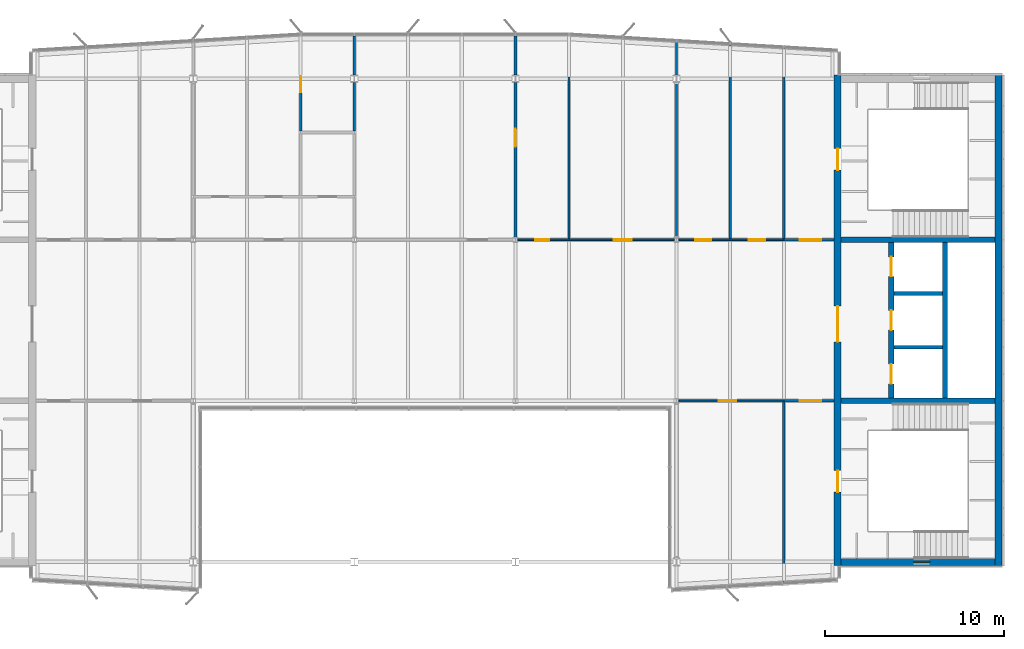
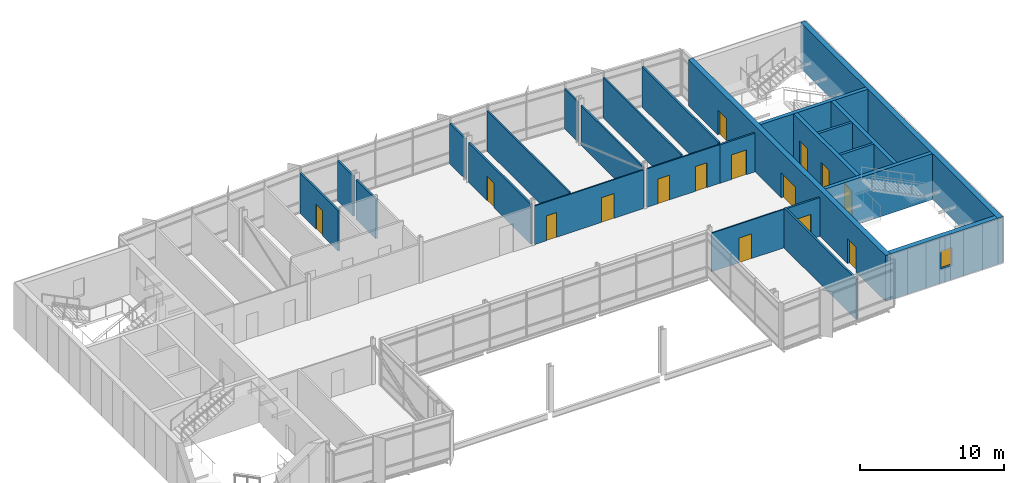
# One storey, part 16 of 20: 25 walls, 15 doors, 1 window, 16 openings.
"""IFC4 building model written with IfcOpenShell, lengths in metres."""

from ifc_helpers import new_model, si_unit, direction, frame, frame_2d, origin, place, context, subcontext, project, spatial, rectangle, extrude, material, layer, layer_set, type_object, element, fill, save


model = new_model("IFC4")

# Units and contexts
model_context = context("Model", 3, precision=1e-05, world=origin(), true_north=direction((0.0, 1.0)))
body_context = subcontext(model_context, "Body", "Model", "MODEL_VIEW")
ifc_project = project(units=[si_unit("LENGTHUNIT", "METRE"), si_unit("AREAUNIT", "SQUARE_METRE"), si_unit("VOLUMEUNIT", "CUBIC_METRE"), si_unit("PLANEANGLEUNIT", "RADIAN"), si_unit("MASSUNIT", "GRAM", prefix="KILO")], contexts=[model_context])

# Site, building, storey
site_placement = place(None, origin())
site = spatial("IfcSite", under=ifc_project, at=site_placement, CompositionType="ELEMENT")
building_placement = place(site_placement, origin())
building = spatial("IfcBuilding", under=site, at=building_placement, Name="Azimuth Sports and Learning Centre", CompositionType="ELEMENT")
storey_placement = place(building_placement, frame((0.0, 0.0, 71.39990234375)))
storey = spatial("IfcBuildingStorey", under=building, at=storey_placement, Name="L16", CompositionType="ELEMENT", Elevation=71.39990234375)

# Walls
ifc_material_1 = material(Name="Dense masonry blockwork", Category="masonry")
ifc_layer_1 = layer(ifc_material_1, 0.199951171875)
ifc_layer_set_1 = layer_set([ifc_layer_1], Name="Dense masonry blockwork")
wall_type_1 = type_object("IfcWallType", Name="Blockwork wall 200 EI 120", PredefinedType="SOLIDWALL", material=ifc_layer_set_1)
for number, where, z_axis, x_axis, name in (
    (1, (111.14990234375, 102.0, 0.0), (0.0, 0.0, 1.0), (1.0, 0.0, 0.0), "SD-E-1-L16"),
    (2, (111.14990234375, 105.0, 0.0), (0.0, 0.0, 1.0), (1.0, 0.0, 0.0), "SD-E-2-L16"),
):
    element("IfcWall", number, at=place(storey_placement, frame(where, z_axis=z_axis, x_axis=x_axis)), inside=storey, type_object=wall_type_1, Name=name, PredefinedType="SOLIDWALL", context=body_context, shape_type="SweptSolid", body=[
        extrude(rectangle(XDim=2.7001953125, YDim=0.199951171875, at=frame_2d((1.35009765625, 0.0))), origin(), (0.0, 0.0, 1.0), 3.900146484375),
    ])

# Wall, opening, door
ifc_material_2 = material(Name="Gypsum board on steel studs", Category="steel")
ifc_layer_2 = layer(ifc_material_2, 0.10009765625)
ifc_layer_set_2 = layer_set([ifc_layer_2], Name="Gypsum board on steel studs")
wall_type_2 = type_object("IfcWallType", Name="Partition 100 EI 30", PredefinedType="PARTITIONING", material=ifc_layer_set_2)
wall_1_placement = place(storey_placement, frame((99.1298828125, 99.0, 0.0), z_axis=(0.0, 0.0, 1.0), x_axis=(1.0, 0.0, 0.0)))
wall_1 = element("IfcWall", 3, at=wall_1_placement, inside=storey, type_object=wall_type_2, Name="Partition Faculty Common Room 16.08 / Learning Street", PredefinedType="PARTITIONING", context=body_context, shape_type="SweptSolid", body=[
    extrude(rectangle(XDim=5.8701171875, YDim=0.10009765625, at=frame_2d((2.93505859375, 0.0))), origin(), (0.0, 0.0, 1.0), 3.27001953125),
])
opening_1_placement = place(wall_1_placement, frame((2.219970703125, 0.0, 0.0)))
opening_1 = element("IfcOpeningElement", 4, at=opening_1_placement, cuts=wall_1, Name="Opening D16-016", PredefinedType="OPENING", context=body_context, shape_type="SweptSolid", body=[
    extrude(rectangle(XDim=1.0, YDim=2.10009765625, at=frame_2d((0.5, 1.050048828125))), frame((0.0, 0.06103515625, 0.0), z_axis=(0.0, -1.0, 0.0), x_axis=(1.0, 0.0, 0.0)), (0.0, 0.0, 1.0), 0.1220703125),
])
ifc_material_3 = material(Name="Painted steel door set", Category="steel")
door_type_1 = type_object("IfcDoorType", Name="Fire door FD30S 1000 x 2100", OperationType="NOTDEFINED", PredefinedType="DOOR", material=ifc_material_3)
door_1_placement = place(opening_1_placement, frame((1.0, 0.0, 0.0), z_axis=(0.0, 0.0, 1.0), x_axis=(-1.0, 0.0, 0.0)))
door_1 = element("IfcDoor", 5, at=door_1_placement, inside=storey, type_object=door_type_1, Name="Door Faculty Common Room 16.08 / Learning Street", OperationType="SINGLE_SWING_RIGHT", OverallHeight=2.10009765625, OverallWidth=1.0, PredefinedType="DOOR", context=body_context, shape_type="SweptSolid", body=[
    extrude(rectangle(XDim=1.0, YDim=2.10009765625, at=frame_2d((0.5, 1.050048828125))), frame((0.0, 0.02490234375, 0.0), z_axis=(0.0, -1.0, 0.0), x_axis=(1.0, 0.0, 0.0)), (0.0, 0.0, 1.0), 0.050048828125),
])
fill(opening_1, door_1)

# Wall, openings, doors
wall_2_placement = place(storey_placement, frame((90.1298828125, 108.0, 0.0), z_axis=(0.0, 0.0, 1.0), x_axis=(1.0, 0.0, 0.0)))
wall_2 = element("IfcWall", 6, at=wall_2_placement, inside=storey, type_object=wall_type_2, Name="Partition Specimen Store 16.17 / Motion Capture Studio 16.18", PredefinedType="PARTITIONING", context=body_context, shape_type="SweptSolid", body=[
    extrude(rectangle(XDim=8.740234375, YDim=0.10009765625, at=frame_2d((4.3701171875, 0.0))), origin(), (0.0, 0.0, 1.0), 3.27001953125),
])
opening_2_placement = place(wall_2_placement, frame((0.969970703125, 0.0, 0.0)))
opening_2 = element("IfcOpeningElement", 7, at=opening_2_placement, cuts=wall_2, Name="Opening D16-021", PredefinedType="OPENING", context=body_context, shape_type="SweptSolid", body=[
    extrude(rectangle(XDim=0.800048828125, YDim=2.10009765625, at=frame_2d((0.39990234375, 1.050048828125))), frame((0.0, 0.06103515625, 0.0), z_axis=(0.0, -1.0, 0.0), x_axis=(1.0, 0.0, 0.0)), (0.0, 0.0, 1.0), 0.1220703125),
])
opening_3_placement = place(wall_2_placement, frame((5.3701171875, 0.0, 0.0)))
opening_3 = element("IfcOpeningElement", 8, at=opening_3_placement, cuts=wall_2, Name="Opening D16-022", PredefinedType="OPENING", context=body_context, shape_type="SweptSolid", body=[
    extrude(rectangle(XDim=1.0, YDim=2.10009765625, at=frame_2d((0.5, 1.050048828125))), frame((0.0, 0.06103515625, 0.0), z_axis=(0.0, -1.0, 0.0), x_axis=(1.0, 0.0, 0.0)), (0.0, 0.0, 1.0), 0.1220703125),
])
door_2_placement = place(opening_3_placement, origin())
door_2 = element("IfcDoor", 9, at=door_2_placement, inside=storey, type_object=door_type_1, Name="Door Motion Capture Studio 16.18 / Learning Street", OperationType="SINGLE_SWING_RIGHT", OverallHeight=2.10009765625, OverallWidth=1.0, PredefinedType="DOOR", context=body_context, shape_type="SweptSolid", body=[
    extrude(rectangle(XDim=1.0, YDim=2.10009765625, at=frame_2d((0.5, 1.050048828125))), frame((0.0, 0.02490234375, 0.0), z_axis=(0.0, -1.0, 0.0), x_axis=(1.0, 0.0, 0.0)), (0.0, 0.0, 1.0), 0.050048828125),
])
fill(opening_3, door_2)
ifc_material_4 = material(Name="Painted steel door set", Category="steel")
door_type_2 = type_object("IfcDoorType", Name="Fire door FD30S 800 x 2100", OperationType="NOTDEFINED", PredefinedType="DOOR", material=ifc_material_4)
door_3_placement = place(opening_2_placement, origin())
door_3 = element("IfcDoor", 10, at=door_3_placement, inside=storey, type_object=door_type_2, Name="Door Specimen Store 16.17 / Learning Street", OperationType="SINGLE_SWING_LEFT", OverallHeight=2.10009765625, OverallWidth=0.800048828125, PredefinedType="DOOR", context=body_context, shape_type="SweptSolid", body=[
    extrude(rectangle(XDim=0.800048828125, YDim=2.10009765625, at=frame_2d((0.39990234375, 1.050048828125))), frame((0.0, 0.02490234375, 0.0), z_axis=(0.0, -1.0, 0.0), x_axis=(1.0, 0.0, 0.0)), (0.0, 0.0, 1.0), 0.050048828125),
])
fill(opening_2, door_3)

wall_3_placement = place(storey_placement, frame((99.1298828125, 108.0, 0.0), z_axis=(0.0, 0.0, 1.0), x_axis=(1.0, 0.0, 0.0)))
wall_3 = element("IfcWall", 11, at=wall_3_placement, inside=storey, type_object=wall_type_2, Name="Partition Specimen Store 16.17 / Motion Capture Studio 16.18", PredefinedType="PARTITIONING", context=body_context, shape_type="SweptSolid", body=[
    extrude(rectangle(XDim=5.8701171875, YDim=0.10009765625, at=frame_2d((2.93505859375, 0.0))), origin(), (0.0, 0.0, 1.0), 3.27001953125),
])
opening_4_placement = place(wall_3_placement, frame((0.919921875, 0.0, 0.0)))
opening_4 = element("IfcOpeningElement", 12, at=opening_4_placement, cuts=wall_3, Name="Opening D16-023", PredefinedType="OPENING", context=body_context, shape_type="SweptSolid", body=[
    extrude(rectangle(XDim=0.89990234375, YDim=2.10009765625, at=frame_2d((0.449951171875, 1.050048828125))), frame((0.0, 0.06103515625, 0.0), z_axis=(0.0, -1.0, 0.0), x_axis=(1.0, 0.0, 0.0)), (0.0, 0.0, 1.0), 0.1220703125),
])
opening_5_placement = place(wall_3_placement, frame((3.919921875, 0.0, 0.0)))
opening_5 = element("IfcOpeningElement", 13, at=opening_5_placement, cuts=wall_3, Name="Opening D16-024", PredefinedType="OPENING", context=body_context, shape_type="SweptSolid", body=[
    extrude(rectangle(XDim=0.89990234375, YDim=2.10009765625, at=frame_2d((0.449951171875, 1.050048828125))), frame((0.0, 0.06103515625, 0.0), z_axis=(0.0, -1.0, 0.0), x_axis=(1.0, 0.0, 0.0)), (0.0, 0.0, 1.0), 0.1220703125),
])
ifc_material_5 = material(Name="Painted steel door set", Category="steel")
door_type_3 = type_object("IfcDoorType", Name="Fire door FD30S 900 x 2100", OperationType="NOTDEFINED", PredefinedType="DOOR", material=ifc_material_5)
door_4_placement = place(opening_4_placement, origin())
door_4 = element("IfcDoor", 14, at=door_4_placement, inside=storey, type_object=door_type_3, Name="Door Faculty Office 16.19 / Learning Street", OperationType="SINGLE_SWING_LEFT", OverallHeight=2.10009765625, OverallWidth=0.89990234375, PredefinedType="DOOR", context=body_context, shape_type="SweptSolid", body=[
    extrude(rectangle(XDim=0.89990234375, YDim=2.10009765625, at=frame_2d((0.449951171875, 1.050048828125))), frame((0.0, 0.02490234375, 0.0), z_axis=(0.0, -1.0, 0.0), x_axis=(1.0, 0.0, 0.0)), (0.0, 0.0, 1.0), 0.050048828125),
])
fill(opening_4, door_4)
door_5_placement = place(opening_5_placement, origin())
door_5 = element("IfcDoor", 15, at=door_5_placement, inside=storey, type_object=door_type_3, Name="Door Faculty Office 16.20 / Learning Street", OperationType="SINGLE_SWING_LEFT", OverallHeight=2.10009765625, OverallWidth=0.89990234375, PredefinedType="DOOR", context=body_context, shape_type="SweptSolid", body=[
    extrude(rectangle(XDim=0.89990234375, YDim=2.10009765625, at=frame_2d((0.449951171875, 1.050048828125))), frame((0.0, 0.02490234375, 0.0), z_axis=(0.0, -1.0, 0.0), x_axis=(1.0, 0.0, 0.0)), (0.0, 0.0, 1.0), 0.050048828125),
])
fill(opening_5, door_5)

# Walls
ifc_material_6 = material(Name="Gypsum board on steel studs, acoustic", Category="steel")
ifc_layer_3 = layer(ifc_material_6, 0.125)
ifc_layer_set_3 = layer_set([ifc_layer_3], Name="Gypsum board on steel studs, acoustic")
wall_type_3 = type_object("IfcWallType", Name="Partition 125 EI 60", PredefinedType="PARTITIONING", material=ifc_layer_set_3)
wall_4_placement = place(storey_placement, frame((93.0, 108.050048828125, 0.0), z_axis=(0.0, 0.0, 1.0), x_axis=(0.0, 1.0, 0.0)))
element("IfcWall", 16, at=wall_4_placement, inside=storey, type_object=wall_type_3, Name="Partition Specimen Store 16.17 / Motion Capture Studio 16.18", PredefinedType="PARTITIONING", context=body_context, shape_type="SweptSolid", body=[
    extrude(rectangle(XDim=11.349853515625, YDim=0.125, at=frame_2d((5.6748046875, 0.0))), origin(), (0.0, 0.0, 1.0), 3.41015625),
])
wall_5_placement = place(storey_placement, frame((99.0, 108.1298828125, 0.0), z_axis=(0.0, 0.0, 1.0), x_axis=(0.0, 1.0, 0.0)))
element("IfcWall", 17, at=wall_5_placement, inside=storey, type_object=wall_type_3, Name="Partition Motion Capture Studio 16.18 / Faculty Office 16.19", PredefinedType="PARTITIONING", context=body_context, shape_type="SweptSolid", body=[
    extrude(rectangle(XDim=8.652587890625, YDim=0.125, at=frame_2d((4.326171875, 0.0))), origin(), (0.0, 0.0, 1.0), 3.3701171875),
])
wall_6_placement = place(storey_placement, frame((99.0, 117.217529296875, 0.0), z_axis=(0.0, 0.0, 1.0), x_axis=(0.0, 1.0, 0.0)))
element("IfcWall", 18, at=wall_6_placement, inside=storey, type_object=wall_type_3, Name="Partition Motion Capture Studio 16.18 / Faculty Office 16.19", PredefinedType="PARTITIONING", context=body_context, shape_type="SweptSolid", body=[
    extrude(rectangle(XDim=1.822509765625, YDim=0.125, at=frame_2d((0.9111328125, 0.0))), origin(), (0.0, 0.0, 1.0), 3.41015625),
])
wall_7_placement = place(storey_placement, frame((102.0, 108.050048828125, 0.0), z_axis=(0.0, 0.0, 1.0), x_axis=(0.0, 1.0, 0.0)))
element("IfcWall", 19, at=wall_7_placement, inside=storey, type_object=wall_type_3, Name="Partition Faculty Office 16.19 / Faculty Office 16.20", PredefinedType="PARTITIONING", context=body_context, shape_type="SweptSolid", body=[
    extrude(rectangle(XDim=10.81005859375, YDim=0.125, at=frame_2d((5.405029296875, 0.0))), origin(), (0.0, 0.0, 1.0), 3.41015625),
])

# Wall, opening, door
ifc_material_7 = material(Name="Lightweight blockwork, rendered", Category="masonry")
ifc_layer_4 = layer(ifc_material_7, 0.14990234375)
ifc_layer_set_4 = layer_set([ifc_layer_4], Name="Lightweight blockwork, rendered")
wall_type_4 = type_object("IfcWallType", Name="Partition 150 EI 60", PredefinedType="PARTITIONING", material=ifc_layer_set_4)
wall_8_placement = place(storey_placement, frame((105.0, 99.0, 0.0), z_axis=(0.0, 0.0, 1.0), x_axis=(1.0, 0.0, 0.0)))
wall_8 = element("IfcWall", 20, at=wall_8_placement, inside=storey, type_object=wall_type_4, Name="Partition Stair Lobby E1 16.03 / Learning Street", PredefinedType="PARTITIONING", context=body_context, shape_type="SweptSolid", body=[
    extrude(rectangle(XDim=2.800048828125, YDim=0.14990234375, at=frame_2d((1.39990234375, 0.0))), origin(), (0.0, 0.0, 1.0), 3.27001953125),
])
opening_6_placement = place(wall_8_placement, frame((0.89990234375, 0.0, 0.0)))
opening_6 = element("IfcOpeningElement", 21, at=opening_6_placement, cuts=wall_8, Name="Opening D16-013", PredefinedType="OPENING", context=body_context, shape_type="SweptSolid", body=[
    extrude(rectangle(XDim=1.199951171875, YDim=2.10009765625, at=frame_2d((0.60009765625, 1.050048828125))), frame((0.0, 0.0859375, 0.0), z_axis=(0.0, -1.0, 0.0), x_axis=(1.0, 0.0, 0.0)), (0.0, 0.0, 1.0), 0.171875),
])
ifc_material_8 = material(Name="Painted steel door set", Category="steel")
door_type_4 = type_object("IfcDoorType", Name="Fire door FD60 1200 x 2100", OperationType="NOTDEFINED", PredefinedType="DOOR", material=ifc_material_8)
door_6_placement = place(opening_6_placement, frame((1.199951171875, 0.0, 0.0), z_axis=(0.0, 0.0, 1.0), x_axis=(-1.0, 0.0, 0.0)))
door_6 = element("IfcDoor", 22, at=door_6_placement, inside=storey, type_object=door_type_4, Name="Door Stair Lobby E1 16.03 / Learning Street", OperationType="SINGLE_SWING_LEFT", OverallHeight=2.10009765625, OverallWidth=1.199951171875, PredefinedType="DOOR", context=body_context, shape_type="SweptSolid", body=[
    extrude(rectangle(XDim=1.199951171875, YDim=2.10009765625, at=frame_2d((0.60009765625, 1.050048828125))), frame((0.0, 0.02490234375, 0.0), z_axis=(0.0, -1.0, 0.0), x_axis=(1.0, 0.0, 0.0)), (0.0, 0.0, 1.0), 0.050048828125),
])
fill(opening_6, door_6)

wall_9_placement = place(storey_placement, frame((105.0, 108.0, 0.0), z_axis=(0.0, 0.0, 1.0), x_axis=(1.0, 0.0, 0.0)))
wall_9 = element("IfcWall", 23, at=wall_9_placement, inside=storey, type_object=wall_type_4, Name="Partition Stair Lobby E2 16.04 / Learning Street", PredefinedType="PARTITIONING", context=body_context, shape_type="SweptSolid", body=[
    extrude(rectangle(XDim=2.800048828125, YDim=0.14990234375, at=frame_2d((1.39990234375, 0.0))), origin(), (0.0, 0.0, 1.0), 3.27001953125),
])
opening_7_placement = place(wall_9_placement, frame((0.89990234375, 0.0, 0.0)))
opening_7 = element("IfcOpeningElement", 24, at=opening_7_placement, cuts=wall_9, Name="Opening D16-014", PredefinedType="OPENING", context=body_context, shape_type="SweptSolid", body=[
    extrude(rectangle(XDim=1.199951171875, YDim=2.10009765625, at=frame_2d((0.60009765625, 1.050048828125))), frame((0.0, 0.0859375, 0.0), z_axis=(0.0, -1.0, 0.0), x_axis=(1.0, 0.0, 0.0)), (0.0, 0.0, 1.0), 0.171875),
])
door_7_placement = place(opening_7_placement, origin())
door_7 = element("IfcDoor", 25, at=door_7_placement, inside=storey, type_object=door_type_4, Name="Door Stair Lobby E2 16.04 / Learning Street", OperationType="SINGLE_SWING_RIGHT", OverallHeight=2.10009765625, OverallWidth=1.199951171875, PredefinedType="DOOR", context=body_context, shape_type="SweptSolid", body=[
    extrude(rectangle(XDim=1.199951171875, YDim=2.10009765625, at=frame_2d((0.60009765625, 1.050048828125))), frame((0.0, 0.02490234375, 0.0), z_axis=(0.0, -1.0, 0.0), x_axis=(1.0, 0.0, 0.0)), (0.0, 0.0, 1.0), 0.050048828125),
])
fill(opening_7, door_7)

wall_10_placement = place(storey_placement, frame((78.0, 114.074951171875, 0.0), z_axis=(0.0, 0.0, 1.0), x_axis=(0.0, 1.0, 0.0)))
wall_10 = element("IfcWall", 26, at=wall_10_placement, inside=storey, type_object=wall_type_4, Name="Partition Women WC 16.13 / Accessible WC 16.14", PredefinedType="PARTITIONING", context=body_context, shape_type="SweptSolid", body=[
    extrude(rectangle(XDim=5.324951171875, YDim=0.14990234375, at=frame_2d((2.66259765625, 0.0))), origin(), (0.0, 0.0, 1.0), 3.41015625),
])
opening_8_placement = place(wall_10_placement, frame((2.175048828125, 0.0, 0.0)))
opening_8 = element("IfcOpeningElement", 27, at=opening_8_placement, cuts=wall_10, Name="Opening D16-028", PredefinedType="OPENING", context=body_context, shape_type="SweptSolid", body=[
    extrude(rectangle(XDim=0.89990234375, YDim=2.10009765625, at=frame_2d((0.449951171875, 1.050048828125))), frame((0.0, 0.0859375, 0.0), z_axis=(0.0, -1.0, 0.0), x_axis=(1.0, 0.0, 0.0)), (0.0, 0.0, 1.0), 0.171875),
])
ifc_material_9 = material(Name="Painted steel door set", Category="steel")
door_type_5 = type_object("IfcDoorType", Name="Fire door FD60 900 x 2100", OperationType="NOTDEFINED", PredefinedType="DOOR", material=ifc_material_9)
door_8_placement = place(opening_8_placement, frame((0.89990234375, 0.0, 0.0), z_axis=(0.0, 0.0, 1.0), x_axis=(-1.0, 0.0, 0.0)))
door_8 = element("IfcDoor", 28, at=door_8_placement, inside=storey, type_object=door_type_5, Name="Door Women WC 16.13 / Cleaner Store 16.15", OperationType="SINGLE_SWING_RIGHT", OverallHeight=2.10009765625, OverallWidth=0.89990234375, PredefinedType="DOOR", context=body_context, shape_type="SweptSolid", body=[
    extrude(rectangle(XDim=0.89990234375, YDim=2.10009765625, at=frame_2d((0.449951171875, 1.050048828125))), frame((0.0, 0.02490234375, 0.0), z_axis=(0.0, -1.0, 0.0), x_axis=(1.0, 0.0, 0.0)), (0.0, 0.0, 1.0), 0.050048828125),
])
fill(opening_8, door_8)

# Walls
wall_11_placement = place(storey_placement, frame((81.0, 114.074951171875, 0.0), z_axis=(0.0, 0.0, 1.0), x_axis=(0.0, 1.0, 0.0)))
element("IfcWall", 29, at=wall_11_placement, inside=storey, type_object=wall_type_4, Name="Partition WC Lobby 16.11 / Accessible WC 16.14", PredefinedType="PARTITIONING", context=body_context, shape_type="SweptSolid", body=[
    extrude(rectangle(XDim=2.70751953125, YDim=0.14990234375, at=frame_2d((1.353759765625, 0.0))), origin(), (0.0, 0.0, 1.0), 3.3701171875),
])
wall_12_placement = place(storey_placement, frame((81.0, 117.217529296875, 0.0), z_axis=(0.0, 0.0, 1.0), x_axis=(0.0, 1.0, 0.0)))
element("IfcWall", 30, at=wall_12_placement, inside=storey, type_object=wall_type_4, Name="Partition WC Lobby 16.11 / Accessible WC 16.14", PredefinedType="PARTITIONING", context=body_context, shape_type="SweptSolid", body=[
    extrude(rectangle(XDim=2.182373046875, YDim=0.14990234375, at=frame_2d((1.09130859375, 0.0))), origin(), (0.0, 0.0, 1.0), 3.41015625),
])

# Wall, opening, door
wall_13_placement = place(storey_placement, frame((90.0, 108.1298828125, 0.0), z_axis=(0.0, 0.0, 1.0), x_axis=(0.0, 1.0, 0.0)))
wall_13 = element("IfcWall", 31, at=wall_13_placement, inside=storey, type_object=wall_type_4, Name="Partition Research Laboratory 16.16 / Specimen Store 16.17", PredefinedType="PARTITIONING", context=body_context, shape_type="SweptSolid", body=[
    extrude(rectangle(XDim=8.652587890625, YDim=0.14990234375, at=frame_2d((4.326171875, 0.0))), origin(), (0.0, 0.0, 1.0), 3.3701171875),
])
opening_9_placement = place(wall_13_placement, frame((5.070068359375, 0.0, 0.0)))
opening_9 = element("IfcOpeningElement", 32, at=opening_9_placement, cuts=wall_13, Name="Opening D16-029", PredefinedType="OPENING", context=body_context, shape_type="SweptSolid", body=[
    extrude(rectangle(XDim=1.0, YDim=2.10009765625, at=frame_2d((0.5, 1.050048828125))), frame((0.0, 0.0859375, 0.0), z_axis=(0.0, -1.0, 0.0), x_axis=(1.0, 0.0, 0.0)), (0.0, 0.0, 1.0), 0.171875),
])
ifc_material_10 = material(Name="Painted steel door set", Category="steel")
door_type_6 = type_object("IfcDoorType", Name="Fire door FD60 1000 x 2100", OperationType="NOTDEFINED", PredefinedType="DOOR", material=ifc_material_10)
door_9_placement = place(opening_9_placement, frame((1.0, 0.0, 0.0), z_axis=(0.0, 0.0, 1.0), x_axis=(-1.0, 0.0, 0.0)))
door_9 = element("IfcDoor", 33, at=door_9_placement, inside=storey, type_object=door_type_6, Name="Door Research Laboratory 16.16 / Specimen Store 16.17", OperationType="SINGLE_SWING_LEFT", OverallHeight=2.10009765625, OverallWidth=1.0, PredefinedType="DOOR", context=body_context, shape_type="SweptSolid", body=[
    extrude(rectangle(XDim=1.0, YDim=2.10009765625, at=frame_2d((0.5, 1.050048828125))), frame((0.0, 0.02490234375, 0.0), z_axis=(0.0, -1.0, 0.0), x_axis=(1.0, 0.0, 0.0)), (0.0, 0.0, 1.0), 0.050048828125),
])
fill(opening_9, door_9)

# Walls
wall_14_placement = place(storey_placement, frame((90.0, 117.217529296875, 0.0), z_axis=(0.0, 0.0, 1.0), x_axis=(0.0, 1.0, 0.0)))
element("IfcWall", 34, at=wall_14_placement, inside=storey, type_object=wall_type_4, Name="Partition Research Laboratory 16.16 / Specimen Store 16.17", PredefinedType="PARTITIONING", context=body_context, shape_type="SweptSolid", body=[
    extrude(rectangle(XDim=2.182373046875, YDim=0.14990234375, at=frame_2d((1.09130859375, 0.0))), origin(), (0.0, 0.0, 1.0), 3.41015625),
])
wall_15_placement = place(storey_placement, frame((105.0, 88.919921875, 0.0), z_axis=(0.0, 0.0, 1.0), x_axis=(0.0, 1.0, 0.0)))
element("IfcWall", 35, at=wall_15_placement, inside=storey, type_object=wall_type_4, Name="Partition Stair Lobby E1 16.03 / Faculty Common Room 16.08", PredefinedType="PARTITIONING", context=body_context, shape_type="SweptSolid", body=[
    extrude(rectangle(XDim=10.005126953125, YDim=0.14990234375, at=frame_2d((5.00244140625, 0.0))), origin(), (0.0, 0.0, 1.0), 3.41015625),
])
wall_16_placement = place(storey_placement, frame((105.0, 108.074951171875, 0.0), z_axis=(0.0, 0.0, 1.0), x_axis=(0.0, 1.0, 0.0)))
element("IfcWall", 36, at=wall_16_placement, inside=storey, type_object=wall_type_4, Name="Partition Stair Lobby E2 16.04 / Faculty Office 16.20", PredefinedType="PARTITIONING", context=body_context, shape_type="SweptSolid", body=[
    extrude(rectangle(XDim=10.60498046875, YDim=0.14990234375, at=frame_2d((5.302490234375, 0.0))), origin(), (0.0, 0.0, 1.0), 3.41015625),
])
ifc_material_11 = material(Name="Concrete C40/50", Category="concrete")
ifc_layer_5 = layer(ifc_material_11, 0.300048828125)
ifc_layer_set_5 = layer_set([ifc_layer_5], Name="Concrete C40/50")
wall_type_5 = type_object("IfcWallType", Name="RC core wall 300", PredefinedType="SHEAR", material=ifc_layer_set_5)
for number, where, z_axis, x_axis, name in (
    (37, (108.199951171875, 99.0, 0.0), (0.0, 0.0, 1.0), (1.0, 0.0, 0.0), "Core wall E D1 L16"),
    (38, (108.199951171875, 108.0, 0.0), (0.0, 0.0, 1.0), (1.0, 0.0, 0.0), "Core wall E D2 L16"),
):
    element("IfcWall", number, at=place(storey_placement, frame(where, z_axis=z_axis, x_axis=x_axis)), inside=storey, type_object=wall_type_5, Name=name, PredefinedType="SHEAR", context=body_context, shape_type="SweptSolid", body=[
        extrude(rectangle(XDim=8.60009765625, YDim=0.300048828125, at=frame_2d((4.300048828125, 0.0))), origin(), (0.0, 0.0, 1.0), 3.900146484375),
    ])

# Wall, openings, doors
wall_17_placement = place(storey_placement, frame((111.0, 99.14990234375, 0.0), z_axis=(0.0, 0.0, 1.0), x_axis=(0.0, 1.0, 0.0)))
wall_17 = element("IfcWall", 39, at=wall_17_placement, inside=storey, type_object=wall_type_5, Name="Core wall E LB1 L16", PredefinedType="SHEAR", context=body_context, shape_type="SweptSolid", body=[
    extrude(rectangle(XDim=8.7001953125, YDim=0.300048828125, at=frame_2d((4.35009765625, 0.0))), origin(), (0.0, 0.0, 1.0), 3.900146484375),
])
opening_10_placement = place(wall_17_placement, frame((0.800048828125, 0.0, 0.0)))
opening_10 = element("IfcOpeningElement", 40, at=opening_10_placement, cuts=wall_17, Name="Opening D16-008", PredefinedType="OPENING", context=body_context, shape_type="SweptSolid", body=[
    extrude(rectangle(XDim=1.10009765625, YDim=2.10009765625, at=frame_2d((0.550048828125, 1.050048828125))), frame((0.0, 0.1611328125, 0.0), z_axis=(0.0, -1.0, 0.0), x_axis=(1.0, 0.0, 0.0)), (0.0, 0.0, 1.0), 0.322021484375),
])
opening_11_placement = place(wall_17_placement, frame((3.800048828125, 0.0, 0.0)))
opening_11 = element("IfcOpeningElement", 41, at=opening_11_placement, cuts=wall_17, Name="Opening D16-009", PredefinedType="OPENING", context=body_context, shape_type="SweptSolid", body=[
    extrude(rectangle(XDim=1.10009765625, YDim=2.10009765625, at=frame_2d((0.550048828125, 1.050048828125))), frame((0.0, 0.1611328125, 0.0), z_axis=(0.0, -1.0, 0.0), x_axis=(1.0, 0.0, 0.0)), (0.0, 0.0, 1.0), 0.322021484375),
])
opening_12_placement = place(wall_17_placement, frame((6.800048828125, 0.0, 0.0)))
opening_12 = element("IfcOpeningElement", 42, at=opening_12_placement, cuts=wall_17, Name="Opening D16-010", PredefinedType="OPENING", context=body_context, shape_type="SweptSolid", body=[
    extrude(rectangle(XDim=1.10009765625, YDim=2.10009765625, at=frame_2d((0.550048828125, 1.050048828125))), frame((0.0, 0.1611328125, 0.0), z_axis=(0.0, -1.0, 0.0), x_axis=(1.0, 0.0, 0.0)), (0.0, 0.0, 1.0), 0.322021484375),
])
ifc_material_12 = material(Name="Stainless steel", Category="steel")
door_type_7 = type_object("IfcDoorType", Name="Lift landing door 1100 x 2100", OperationType="DOUBLE_DOOR_SLIDING", PredefinedType="DOOR", material=ifc_material_12)
door_10_placement = place(opening_10_placement, origin())
door_10 = element("IfcDoor", 43, at=door_10_placement, inside=storey, type_object=door_type_7, Name="Landing door LE1 L16", OperationType="DOUBLE_DOOR_SLIDING", OverallHeight=2.10009765625, OverallWidth=1.10009765625, PredefinedType="DOOR", context=body_context, shape_type="SweptSolid", body=[
    extrude(rectangle(XDim=1.10009765625, YDim=2.10009765625, at=frame_2d((0.550048828125, 1.050048828125))), frame((0.0, 0.02490234375, 0.0), z_axis=(0.0, -1.0, 0.0), x_axis=(1.0, 0.0, 0.0)), (0.0, 0.0, 1.0), 0.050048828125),
])
fill(opening_10, door_10)
door_11_placement = place(opening_11_placement, origin())
door_11 = element("IfcDoor", 44, at=door_11_placement, inside=storey, type_object=door_type_7, Name="Landing door LE2 L16", OperationType="DOUBLE_DOOR_SLIDING", OverallHeight=2.10009765625, OverallWidth=1.10009765625, PredefinedType="DOOR", context=body_context, shape_type="SweptSolid", body=[
    extrude(rectangle(XDim=1.10009765625, YDim=2.10009765625, at=frame_2d((0.550048828125, 1.050048828125))), frame((0.0, 0.02490234375, 0.0), z_axis=(0.0, -1.0, 0.0), x_axis=(1.0, 0.0, 0.0)), (0.0, 0.0, 1.0), 0.050048828125),
])
fill(opening_11, door_11)
door_12_placement = place(opening_12_placement, origin())
door_12 = element("IfcDoor", 45, at=door_12_placement, inside=storey, type_object=door_type_7, Name="Landing door LE3 L16", OperationType="DOUBLE_DOOR_SLIDING", OverallHeight=2.10009765625, OverallWidth=1.10009765625, PredefinedType="DOOR", context=body_context, shape_type="SweptSolid", body=[
    extrude(rectangle(XDim=1.10009765625, YDim=2.10009765625, at=frame_2d((0.550048828125, 1.050048828125))), frame((0.0, 0.02490234375, 0.0), z_axis=(0.0, -1.0, 0.0), x_axis=(1.0, 0.0, 0.0)), (0.0, 0.0, 1.0), 0.050048828125),
])
fill(opening_12, door_12)

# Wall
wall_18_placement = place(storey_placement, frame((114.0, 99.14990234375, 0.0), z_axis=(0.0, 0.0, 1.0), x_axis=(0.0, 1.0, 0.0)))
element("IfcWall", 46, at=wall_18_placement, inside=storey, type_object=wall_type_5, Name="Core wall E LB2 L16", PredefinedType="SHEAR", context=body_context, shape_type="SweptSolid", body=[
    extrude(rectangle(XDim=8.7001953125, YDim=0.300048828125, at=frame_2d((4.35009765625, 0.0))), origin(), (0.0, 0.0, 1.0), 3.900146484375),
])

# Wall, openings, doors
ifc_material_13 = material(Name="Concrete C40/50", Category="concrete")
ifc_layer_6 = layer(ifc_material_13, 0.39990234375)
ifc_layer_set_6 = layer_set([ifc_layer_6], Name="Concrete C40/50")
wall_type_6 = type_object("IfcWallType", Name="RC core wall 400", PredefinedType="SHEAR", material=ifc_layer_set_6)
wall_19_placement = place(storey_placement, frame((108.0, 89.800048828125, 0.0), z_axis=(0.0, 0.0, 1.0), x_axis=(0.0, 1.0, 0.0)))
wall_19 = element("IfcWall", 47, at=wall_19_placement, inside=storey, type_object=wall_type_6, Name="Core wall E W L16", PredefinedType="SHEAR", context=body_context, shape_type="SweptSolid", body=[
    extrude(rectangle(XDim=27.39990234375, YDim=0.39990234375, at=frame_2d((13.699951171875, 0.0))), origin(), (0.0, 0.0, 1.0), 3.900146484375),
])
opening_13_placement = place(wall_19_placement, frame((4.10009765625, 0.0, 0.0)))
opening_13 = element("IfcOpeningElement", 48, at=opening_13_placement, cuts=wall_19, Name="Opening D16-003", PredefinedType="OPENING", context=body_context, shape_type="SweptSolid", body=[
    extrude(rectangle(XDim=1.199951171875, YDim=2.10009765625, at=frame_2d((0.60009765625, 1.050048828125))), frame((0.0, 0.2109375, 0.0), z_axis=(0.0, -1.0, 0.0), x_axis=(1.0, 0.0, 0.0)), (0.0, 0.0, 1.0), 0.421875),
])
opening_14_placement = place(wall_19_placement, frame((22.10009765625, 0.0, 0.0)))
opening_14 = element("IfcOpeningElement", 49, at=opening_14_placement, cuts=wall_19, Name="Opening D16-004", PredefinedType="OPENING", context=body_context, shape_type="SweptSolid", body=[
    extrude(rectangle(XDim=1.199951171875, YDim=2.10009765625, at=frame_2d((0.60009765625, 1.050048828125))), frame((0.0, 0.2109375, 0.0), z_axis=(0.0, -1.0, 0.0), x_axis=(1.0, 0.0, 0.0)), (0.0, 0.0, 1.0), 0.421875),
])
opening_15_placement = place(wall_19_placement, frame((12.5, 0.0, 0.0)))
opening_15 = element("IfcOpeningElement", 50, at=opening_15_placement, cuts=wall_19, Name="Opening D16-031", PredefinedType="OPENING", context=body_context, shape_type="SweptSolid", body=[
    extrude(rectangle(XDim=2.0, YDim=2.10009765625, at=frame_2d((1.0, 1.050048828125))), frame((0.0, 0.2109375, 0.0), z_axis=(0.0, -1.0, 0.0), x_axis=(1.0, 0.0, 0.0)), (0.0, 0.0, 1.0), 0.421875),
])
ifc_material_14 = material(Name="Painted steel door set", Category="steel")
door_type_8 = type_object("IfcDoorType", Name="Fire door FD120 2000 x 2100 double leaf", OperationType="DOUBLE_DOOR_SINGLE_SWING", PredefinedType="DOOR", material=ifc_material_14)
door_13_placement = place(opening_15_placement, frame((2.0, 0.0, 0.0), z_axis=(0.0, 0.0, 1.0), x_axis=(-1.0, 0.0, 0.0)))
door_13 = element("IfcDoor", 51, at=door_13_placement, inside=storey, type_object=door_type_8, Name="Door Lift Lobby E 16.06 / Learning Street", OperationType="DOUBLE_DOOR_SINGLE_SWING", OverallHeight=2.10009765625, OverallWidth=2.0, PredefinedType="DOOR", context=body_context, shape_type="SweptSolid", body=[
    extrude(rectangle(XDim=2.0, YDim=2.10009765625, at=frame_2d((1.0, 1.050048828125))), frame((0.0, 0.02490234375, 0.0), z_axis=(0.0, -1.0, 0.0), x_axis=(1.0, 0.0, 0.0)), (0.0, 0.0, 1.0), 0.050048828125),
])
fill(opening_15, door_13)
ifc_material_15 = material(Name="Steel", Category="steel")
door_type_9 = type_object("IfcDoorType", Name="Stair fire door 1200 x 2100", OperationType="NOTDEFINED", PredefinedType="DOOR", material=ifc_material_15)
door_14_placement = place(opening_13_placement, frame((1.199951171875, 0.0, 0.0), z_axis=(0.0, 0.0, 1.0), x_axis=(-1.0, 0.0, 0.0)))
door_14 = element("IfcDoor", 52, at=door_14_placement, inside=storey, type_object=door_type_9, Name="Stair door E1 L16", OperationType="SINGLE_SWING_RIGHT", OverallHeight=2.10009765625, OverallWidth=1.199951171875, PredefinedType="DOOR", context=body_context, shape_type="SweptSolid", body=[
    extrude(rectangle(XDim=1.199951171875, YDim=2.10009765625, at=frame_2d((0.60009765625, 1.050048828125))), frame((0.0, 0.02490234375, 0.0), z_axis=(0.0, -1.0, 0.0), x_axis=(1.0, 0.0, 0.0)), (0.0, 0.0, 1.0), 0.050048828125),
])
fill(opening_13, door_14)
door_15_placement = place(opening_14_placement, frame((1.199951171875, 0.0, 0.0), z_axis=(0.0, 0.0, 1.0), x_axis=(-1.0, 0.0, 0.0)))
door_15 = element("IfcDoor", 53, at=door_15_placement, inside=storey, type_object=door_type_9, Name="Stair door E2 L16", OperationType="SINGLE_SWING_RIGHT", OverallHeight=2.10009765625, OverallWidth=1.199951171875, PredefinedType="DOOR", context=body_context, shape_type="SweptSolid", body=[
    extrude(rectangle(XDim=1.199951171875, YDim=2.10009765625, at=frame_2d((0.60009765625, 1.050048828125))), frame((0.0, 0.02490234375, 0.0), z_axis=(0.0, -1.0, 0.0), x_axis=(1.0, 0.0, 0.0)), (0.0, 0.0, 1.0), 0.050048828125),
])
fill(opening_14, door_15)

# Wall, opening, window
ifc_material_16 = material(Name="Concrete C40/50", Category="concrete")
ifc_layer_7 = layer(ifc_material_16, 0.39990234375)
ifc_layer_set_7 = layer_set([ifc_layer_7], Name="Concrete C40/50")
wall_type_7 = type_object("IfcWallType", Name="RC external core wall 400", PredefinedType="SHEAR", material=ifc_layer_set_7)
wall_20_placement = place(storey_placement, frame((108.199951171875, 90.0, 0.0), z_axis=(0.0, 0.0, 1.0), x_axis=(1.0, 0.0, 0.0)))
wall_20 = element("IfcWall", 54, at=wall_20_placement, inside=storey, type_object=wall_type_7, Name="Core wall E S L16", PredefinedType="SHEAR", context=body_context, shape_type="SweptSolid", body=[
    extrude(rectangle(XDim=8.60009765625, YDim=0.39990234375, at=frame_2d((4.300048828125, 0.0))), origin(), (0.0, 0.0, 1.0), 3.900146484375),
])
opening_16_placement = place(wall_20_placement, frame((4.050048828125, 0.0, 1.199951171875)))
opening_16 = element("IfcOpeningElement", 55, at=opening_16_placement, cuts=wall_20, Name="Opening W16-002", PredefinedType="OPENING", context=body_context, shape_type="SweptSolid", body=[
    extrude(rectangle(XDim=0.89990234375, YDim=1.5, at=frame_2d((0.449951171875, 0.75))), frame((0.0, 0.2109375, 0.0), z_axis=(0.0, -1.0, 0.0), x_axis=(1.0, 0.0, 0.0)), (0.0, 0.0, 1.0), 0.421875),
])
ifc_material_17 = material(Name="Aluminium and glass", Category="aluminium")
window_type = type_object("IfcWindowType", Name="Stair window tower core 900x1500", PartitioningType="SINGLE_PANEL", PredefinedType="WINDOW", material=ifc_material_17)
window_placement = place(opening_16_placement, origin())
window = element("IfcWindow", 56, at=window_placement, inside=storey, type_object=window_type, Name="Window W16-002", OverallHeight=1.5, OverallWidth=0.89990234375, PartitioningType="SINGLE_PANEL", PredefinedType="WINDOW", context=body_context, shape_type="SweptSolid", body=[
    extrude(rectangle(XDim=0.89990234375, YDim=1.5, at=frame_2d((0.449951171875, 0.75))), frame((0.0, 0.030029296875, 0.0), z_axis=(0.0, -1.0, 0.0), x_axis=(1.0, 0.0, 0.0)), (0.0, 0.0, 1.0), 0.06005859375),
])
fill(opening_16, window)

# Wall
wall_21_placement = place(storey_placement, frame((117.0, 89.800048828125, 0.0), z_axis=(0.0, 0.0, 1.0), x_axis=(0.0, 1.0, 0.0)))
element("IfcWall", 57, at=wall_21_placement, inside=storey, type_object=wall_type_7, Name="Core wall E E L16", PredefinedType="SHEAR", context=body_context, shape_type="SweptSolid", body=[
    extrude(rectangle(XDim=27.39990234375, YDim=0.39990234375, at=frame_2d((13.699951171875, 0.0))), origin(), (0.0, 0.0, 1.0), 3.900146484375),
])

save(model, "model.ifc")
